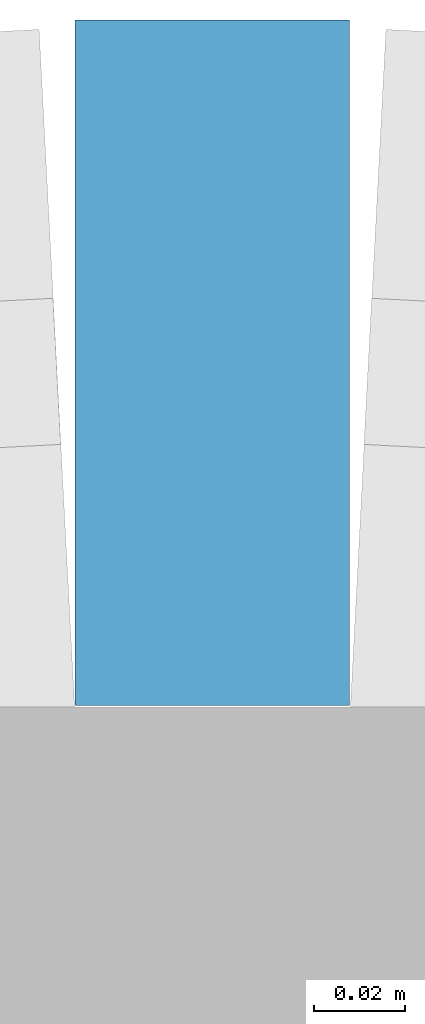
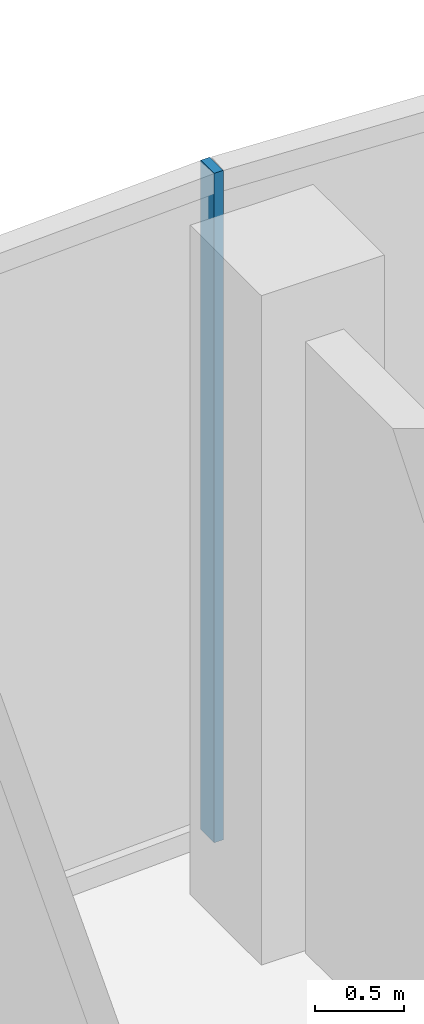
# One storey, part 15 of 39: 1 member, 1 element without a shape of its own.
"""IFC4 building model written with IfcOpenShell, lengths in metres."""

import ifcopenshell
import ifcopenshell.guid

model = None  # the IFC model being written
_history = None  # IfcOwnerHistory: only IFC2X3 demands one
_inside = {}  # id of a spatial element -> (the spatial element, [elements in it])
_under = {}  # id of a project, library or spatial element -> (it, [spatial elements below it])
_declared = {}  # id of a project -> (the project, [libraries it declares])
_typed = {}  # id of a type object -> (the type object, [elements of that type])
_made_of = {}  # id of a material, layer set ... -> (it, [elements and type objects made of it])


def new_model(schema):
    """Start an empty IFC model of exactly this schema.

    Asked for "IFC4X3", IfcOpenShell would pick the latest addendum, in which some entities
    have other attributes; the version numbers below select the first issue.
    IFC2X3 requires an IfcOwnerHistory on every rooted entity: one is made here for all.
    """
    global model, _history
    if schema == "IFC4X3":
        model = ifcopenshell.file(schema_version=(4, 3, 0, 0))
    else:
        model = ifcopenshell.file(schema=schema)
    _inside.clear()
    _under.clear()
    _declared.clear()
    _typed.clear()
    _made_of.clear()
    _history = None
    if model.schema == "IFC2X3":
        org = make("IfcOrganization", Name="unknown")
        user = make(
            "IfcPersonAndOrganization",
            ThePerson=make("IfcPerson", FamilyName="unknown"),
            TheOrganization=org,
        )
        app = make(
            "IfcApplication",
            ApplicationDeveloper=org,
            Version="unknown",
            ApplicationFullName="unknown",
            ApplicationIdentifier="unknown",
        )
        _history = make(
            "IfcOwnerHistory",
            OwningUser=user,
            OwningApplication=app,
            ChangeAction="ADDED",
            CreationDate=0,
        )
    return model


def make(cls, **values):
    """One entity of the class cls with the attributes given. An attribute that is None is left unset."""
    return model.create_entity(
        cls, **{name: value for name, value in values.items() if value is not None}
    )


def rooted(cls, **values):
    """An entity with a GlobalId (a new one), such as an element, a storey or a relation."""
    return make(cls, GlobalId=ifcopenshell.guid.new(), OwnerHistory=_history, **values)


def si_unit(unit_type, name, prefix=None):
    """IfcSIUnit, for example si_unit("LENGTHUNIT", "METRE", prefix="MILLI")."""
    return make("IfcSIUnit", UnitType=unit_type, Prefix=prefix, Name=name)


def assignment(units):
    """IfcUnitAssignment: the units of a project."""
    return None if units is None else make("IfcUnitAssignment", Units=units)


def point(xyz):
    """IfcCartesianPoint."""
    return None if xyz is None else make("IfcCartesianPoint", Coordinates=xyz)


def direction(xyz):
    """IfcDirection."""
    return None if xyz is None else make("IfcDirection", DirectionRatios=xyz)


def frame(location, z_axis=None, x_axis=None):
    """IfcAxis2Placement3D, a coordinate frame: its origin and axes. An axis left out is left unset."""
    return make(
        "IfcAxis2Placement3D",
        Location=point(location),
        Axis=direction(z_axis),
        RefDirection=direction(x_axis),
    )


def frame_2d(location, x_axis=None):
    """IfcAxis2Placement2D, a coordinate frame in the plane: its origin and x axis."""
    return make(
        "IfcAxis2Placement2D", Location=point(location), RefDirection=direction(x_axis)
    )


def origin():
    """The frame at (0, 0, 0) with its axes left unset."""
    return frame((0.0, 0.0, 0.0))


def origin_2d():
    """The frame at (0, 0) in the plane with its x axis left unset."""
    return frame_2d((0.0, 0.0))


def place(relative_to, where):
    """IfcLocalPlacement: puts the frame where relative to a parent placement (None: the world)."""
    return make(
        "IfcLocalPlacement", PlacementRelTo=relative_to, RelativePlacement=where
    )


def context(
    kind, dimensions, precision=None, world=None, true_north=None, identifier=None
):
    """IfcGeometricRepresentationContext, for example the 3D "Model" context."""
    return make(
        "IfcGeometricRepresentationContext",
        ContextIdentifier=identifier,
        ContextType=kind,
        CoordinateSpaceDimension=dimensions,
        Precision=precision,
        WorldCoordinateSystem=world,
        TrueNorth=true_north,
    )


def subcontext(parent, identifier, kind, view, scale=None):
    """IfcGeometricRepresentationSubContext, for example "Body" below "Model"."""
    return make(
        "IfcGeometricRepresentationSubContext",
        ContextIdentifier=identifier,
        ContextType=kind,
        ParentContext=parent,
        TargetScale=scale,
        TargetView=view,
    )


def project(units=None, contexts=None):
    """IfcProject with its units and contexts."""
    return rooted(
        "IfcProject",
        Name="project",
        RepresentationContexts=contexts,
        UnitsInContext=assignment(units),
    )


def spatial(cls, under=None, at=None, **own):
    """A site, building, storey or space (cls), placed at a placement, below another one or the project."""
    s = rooted(cls, ObjectPlacement=at, **own)
    if under is not None:
        _under.setdefault(under.id(), (under, []))[1].append(s)
    return s


def profile(cls, at=None, kind="AREA", **sizes):
    """A parametric profile (cls). Its sizes go by their IFC names, for example OverallWidth=200.0."""
    return make(cls, ProfileType=kind, Position=at, **sizes)


def rectangle(**sizes):
    """IfcRectangleProfileDef."""
    return profile("IfcRectangleProfileDef", **sizes)


def extrude(swept, where, along, depth):
    """IfcExtrudedAreaSolid: the profile swept, set in the frame where, extruded along a direction by depth."""
    return make(
        "IfcExtrudedAreaSolid",
        SweptArea=swept,
        Position=where,
        ExtrudedDirection=direction(along),
        Depth=depth,
    )


def shape(context_of_items, identifier, shape_type, items):
    """IfcShapeRepresentation: the items that make up one representation, for example the "Body"."""
    return make(
        "IfcShapeRepresentation",
        ContextOfItems=context_of_items,
        RepresentationIdentifier=identifier,
        RepresentationType=shape_type,
        Items=items,
    )


def material(Name=None, Category=None):
    """IfcMaterial."""
    return make("IfcMaterial", Name=Name, Category=Category)


def layer(
    of_material, thickness, ventilated=None, Name=None, Category=None, Priority=None
):
    """IfcMaterialLayer: one layer of a wall or slab, of a material (None: an air gap)."""
    return make(
        "IfcMaterialLayer",
        Material=of_material,
        LayerThickness=thickness,
        IsVentilated=ventilated,
        Name=Name,
        Category=Category,
        Priority=Priority,
    )


def layer_set(layers, Name=None):
    """IfcMaterialLayerSet."""
    return make("IfcMaterialLayerSet", MaterialLayers=layers, LayerSetName=Name)


def material_profile(
    of_material, cross_section, Name=None, Category=None, Priority=None
):
    """IfcMaterialProfile: a cross section and its material."""
    return make(
        "IfcMaterialProfile",
        Name=Name,
        Material=of_material,
        Profile=cross_section,
        Priority=Priority,
        Category=Category,
    )


def profile_set(profiles, Name=None, composite=None):
    """IfcMaterialProfileSet."""
    return make(
        "IfcMaterialProfileSet",
        Name=Name,
        MaterialProfiles=profiles,
        CompositeProfile=composite,
    )


def made_of(thing, what):
    """Note that an element or type object is made of a material, layer set ...; save() writes the relation."""
    if what is not None:
        _made_of.setdefault(what.id(), (what, []))[1].append(thing)
    return thing


def type_object(cls, material=None, **own):
    """A type object (cls), such as IfcWallType, which elements share."""
    return made_of(rooted(cls, **own), material)


def element(
    cls,
    number,
    at=None,
    inside=None,
    cuts=None,
    type_object=None,
    material=None,
    context=None,
    identifier="Body",
    shape_type=None,
    held_by="IfcProductDefinitionShape",
    body=None,
    shapes=None,
    **own,
):
    """One element of the class cls, such as IfcWall. Its Tag is "e" and its number.

    at: its placement. inside: the storey or other place that contains it. cuts: it is an
    opening in that element (IfcRelVoidsElement). A single representation is given by context,
    identifier, shape_type and body (its items); several are given by shapes. held_by: the class
    of the entity that holds the representations. save() writes the other relations.
    """
    e = rooted(cls, Tag="e%d" % number, ObjectPlacement=at, **own)
    if body is not None:
        shapes = [shape(context, identifier, shape_type, body)]
    if shapes is not None:
        e.Representation = make(held_by, Representations=shapes)
    if inside is not None:
        _inside.setdefault(inside.id(), (inside, []))[1].append(e)
    if cuts is not None:
        rooted(
            "IfcRelVoidsElement", RelatingBuildingElement=cuts, RelatedOpeningElement=e
        )
    if type_object is not None:
        _typed.setdefault(type_object.id(), (type_object, []))[1].append(e)
    return made_of(e, material)


def aggregate(whole, parts):
    """IfcRelAggregates: a whole, such as a stair, and the parts it consists of."""
    return rooted("IfcRelAggregates", RelatingObject=whole, RelatedObjects=parts)


def save(model, path):
    """Write the relations noted so far, then the file.

    IfcRelAggregates (storeys below a building ...), IfcRelContainedInSpatialStructure (elements
    in a storey), IfcRelDefinesByType, IfcRelAssociatesMaterial and IfcRelDeclares: one each for
    every whole, place, type object, material and project.
    """
    for whole, parts in _under.values():
        aggregate(whole, parts)
    for where, things in _inside.values():
        rooted(
            "IfcRelContainedInSpatialStructure",
            RelatedElements=things,
            RelatingStructure=where,
        )
    for kind, things in _typed.values():
        rooted("IfcRelDefinesByType", RelatedObjects=things, RelatingType=kind)
    for what, things in _made_of.values():
        rooted("IfcRelAssociatesMaterial", RelatedObjects=things, RelatingMaterial=what)
    for by, libraries in _declared.values():
        rooted("IfcRelDeclares", RelatingContext=by, RelatedDefinitions=libraries)
    model.write(path)


model = new_model("IFC4")

# Units and contexts
model_context = context("Model", 3, precision=1e-05, world=origin(), true_north=direction((0.0, 1.0)))
body_context = subcontext(model_context, "Body", "Model", "MODEL_VIEW")
ifc_project = project(units=[si_unit("LENGTHUNIT", "METRE"), si_unit("AREAUNIT", "SQUARE_METRE"), si_unit("VOLUMEUNIT", "CUBIC_METRE"), si_unit("PLANEANGLEUNIT", "RADIAN"), si_unit("MASSUNIT", "GRAM", prefix="KILO")], contexts=[model_context])

# Site, building, storey
site_placement = place(None, origin())
site = spatial("IfcSite", under=ifc_project, at=site_placement, CompositionType="ELEMENT")
building_placement = place(site_placement, origin())
building = spatial("IfcBuilding", under=site, at=building_placement, Name="Stone Belt Terrace Tower", CompositionType="ELEMENT")
storey_placement = place(building_placement, frame((0.0, 0.0, 20.800048828125)))
storey = spatial("IfcBuildingStorey", under=building, at=storey_placement, Name="L04", CompositionType="ELEMENT", Elevation=20.800048828125)

# Curtain wall, member
ifc_material = material(Name="Aluminium 6063-T6 anodised frame", Category="aluminium")
ifc_layer = layer(ifc_material, 0.14990234375)
ifc_layer_set = layer_set([ifc_layer], Name="CW-D podium shopfront")
curtain_wall_type = type_object("IfcCurtainWallType", Name="CW-D podium shopfront", PredefinedType="NOTDEFINED", material=ifc_layer_set)
curtain_wall_placement = place(storey_placement, origin())
curtain_wall = element("IfcCurtainWall", 1, at=curtain_wall_placement, inside=storey, type_object=curtain_wall_type, Name="CW-D convex face L04", PredefinedType="NOTDEFINED")
ifc_material_profile = material_profile(ifc_material, rectangle(XDim=0.14990234375, YDim=0.06005859375, at=origin_2d()), Name="Aluminium 6063-T6 60x150")
ifc_profile_set = profile_set([ifc_material_profile], Name="Aluminium 6063-T6 anodised frame")
member_type = type_object("IfcMemberType", Name="CW-D mullion 60 x 150", PredefinedType="MULLION", material=ifc_profile_set)
member_placement = place(storey_placement, frame((0.0, 74.5751953125, 0.0), z_axis=(0.0, 0.0, 1.0), x_axis=(0.0, -1.0, 0.0)))
member = element("IfcMember", 2, at=member_placement, type_object=member_type, Name="CW-D mullion 13", PredefinedType="MULLION", context=body_context, shape_type="SweptSolid", body=[
    extrude(rectangle(XDim=0.14990234375, YDim=0.06005859375, at=origin_2d()), origin(), (0.0, 0.0, 1.0), 4.599853515625),
])
aggregate(curtain_wall, [member])

save(model, "model.ifc")
